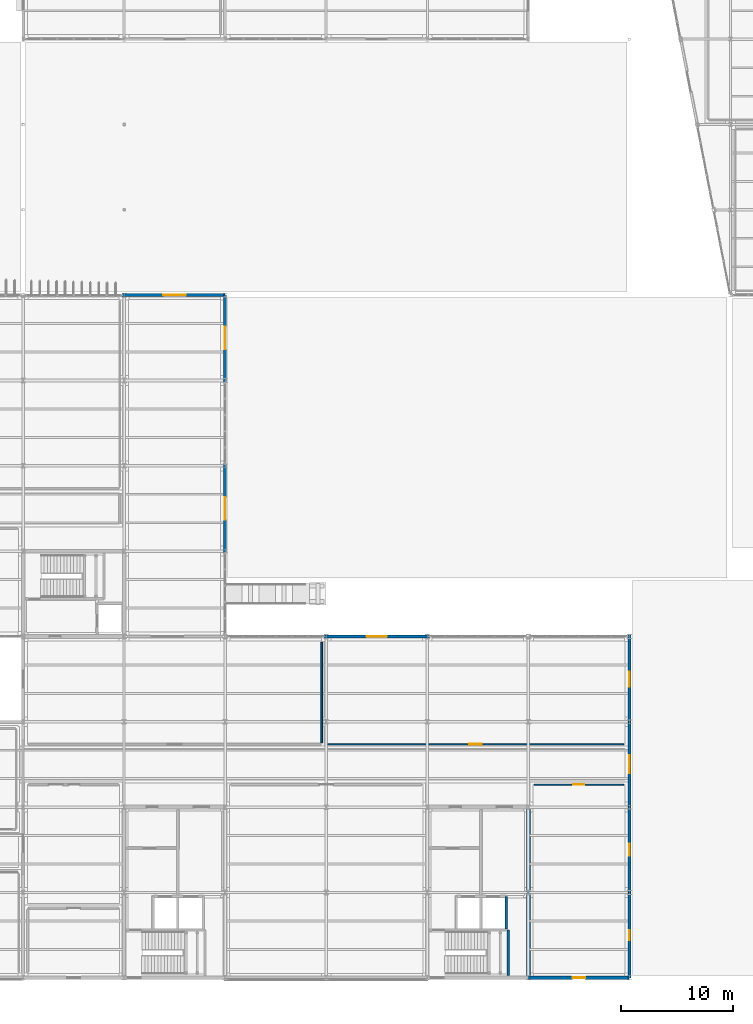
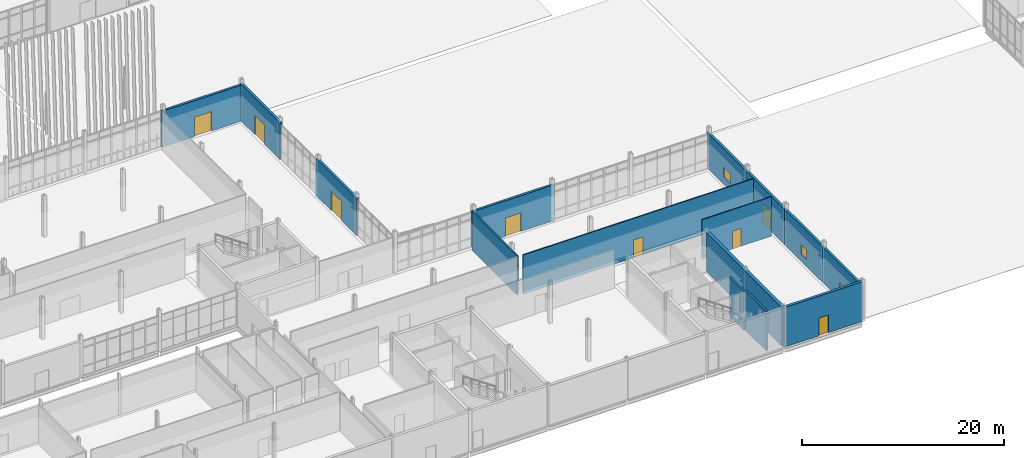
# One storey, part 142 of 161: 15 walls, 8 doors, 3 windows, 11 openings.
"""IFC4 building model written with IfcOpenShell, lengths in metres."""

import ifcopenshell
import ifcopenshell.guid

model = None  # the IFC model being written
_history = None  # IfcOwnerHistory: only IFC2X3 demands one
_inside = {}  # id of a spatial element -> (the spatial element, [elements in it])
_under = {}  # id of a project, library or spatial element -> (it, [spatial elements below it])
_declared = {}  # id of a project -> (the project, [libraries it declares])
_typed = {}  # id of a type object -> (the type object, [elements of that type])
_made_of = {}  # id of a material, layer set ... -> (it, [elements and type objects made of it])


def new_model(schema):
    """Start an empty IFC model of exactly this schema.

    Asked for "IFC4X3", IfcOpenShell would pick the latest addendum, in which some entities
    have other attributes; the version numbers below select the first issue.
    IFC2X3 requires an IfcOwnerHistory on every rooted entity: one is made here for all.
    """
    global model, _history
    if schema == "IFC4X3":
        model = ifcopenshell.file(schema_version=(4, 3, 0, 0))
    else:
        model = ifcopenshell.file(schema=schema)
    _inside.clear()
    _under.clear()
    _declared.clear()
    _typed.clear()
    _made_of.clear()
    _history = None
    if model.schema == "IFC2X3":
        org = make("IfcOrganization", Name="unknown")
        user = make(
            "IfcPersonAndOrganization",
            ThePerson=make("IfcPerson", FamilyName="unknown"),
            TheOrganization=org,
        )
        app = make(
            "IfcApplication",
            ApplicationDeveloper=org,
            Version="unknown",
            ApplicationFullName="unknown",
            ApplicationIdentifier="unknown",
        )
        _history = make(
            "IfcOwnerHistory",
            OwningUser=user,
            OwningApplication=app,
            ChangeAction="ADDED",
            CreationDate=0,
        )
    return model


def make(cls, **values):
    """One entity of the class cls with the attributes given. An attribute that is None is left unset."""
    return model.create_entity(
        cls, **{name: value for name, value in values.items() if value is not None}
    )


def rooted(cls, **values):
    """An entity with a GlobalId (a new one), such as an element, a storey or a relation."""
    return make(cls, GlobalId=ifcopenshell.guid.new(), OwnerHistory=_history, **values)


def si_unit(unit_type, name, prefix=None):
    """IfcSIUnit, for example si_unit("LENGTHUNIT", "METRE", prefix="MILLI")."""
    return make("IfcSIUnit", UnitType=unit_type, Prefix=prefix, Name=name)


def assignment(units):
    """IfcUnitAssignment: the units of a project."""
    return None if units is None else make("IfcUnitAssignment", Units=units)


def point(xyz):
    """IfcCartesianPoint."""
    return None if xyz is None else make("IfcCartesianPoint", Coordinates=xyz)


def direction(xyz):
    """IfcDirection."""
    return None if xyz is None else make("IfcDirection", DirectionRatios=xyz)


def frame(location, z_axis=None, x_axis=None):
    """IfcAxis2Placement3D, a coordinate frame: its origin and axes. An axis left out is left unset."""
    return make(
        "IfcAxis2Placement3D",
        Location=point(location),
        Axis=direction(z_axis),
        RefDirection=direction(x_axis),
    )


def frame_2d(location, x_axis=None):
    """IfcAxis2Placement2D, a coordinate frame in the plane: its origin and x axis."""
    return make(
        "IfcAxis2Placement2D", Location=point(location), RefDirection=direction(x_axis)
    )


def origin():
    """The frame at (0, 0, 0) with its axes left unset."""
    return frame((0.0, 0.0, 0.0))


def place(relative_to, where):
    """IfcLocalPlacement: puts the frame where relative to a parent placement (None: the world)."""
    return make(
        "IfcLocalPlacement", PlacementRelTo=relative_to, RelativePlacement=where
    )


def context(
    kind, dimensions, precision=None, world=None, true_north=None, identifier=None
):
    """IfcGeometricRepresentationContext, for example the 3D "Model" context."""
    return make(
        "IfcGeometricRepresentationContext",
        ContextIdentifier=identifier,
        ContextType=kind,
        CoordinateSpaceDimension=dimensions,
        Precision=precision,
        WorldCoordinateSystem=world,
        TrueNorth=true_north,
    )


def subcontext(parent, identifier, kind, view, scale=None):
    """IfcGeometricRepresentationSubContext, for example "Body" below "Model"."""
    return make(
        "IfcGeometricRepresentationSubContext",
        ContextIdentifier=identifier,
        ContextType=kind,
        ParentContext=parent,
        TargetScale=scale,
        TargetView=view,
    )


def project(units=None, contexts=None):
    """IfcProject with its units and contexts."""
    return rooted(
        "IfcProject",
        Name="project",
        RepresentationContexts=contexts,
        UnitsInContext=assignment(units),
    )


def spatial(cls, under=None, at=None, **own):
    """A site, building, storey or space (cls), placed at a placement, below another one or the project."""
    s = rooted(cls, ObjectPlacement=at, **own)
    if under is not None:
        _under.setdefault(under.id(), (under, []))[1].append(s)
    return s


def profile(cls, at=None, kind="AREA", **sizes):
    """A parametric profile (cls). Its sizes go by their IFC names, for example OverallWidth=200.0."""
    return make(cls, ProfileType=kind, Position=at, **sizes)


def rectangle(**sizes):
    """IfcRectangleProfileDef."""
    return profile("IfcRectangleProfileDef", **sizes)


def extrude(swept, where, along, depth):
    """IfcExtrudedAreaSolid: the profile swept, set in the frame where, extruded along a direction by depth."""
    return make(
        "IfcExtrudedAreaSolid",
        SweptArea=swept,
        Position=where,
        ExtrudedDirection=direction(along),
        Depth=depth,
    )


def shape(context_of_items, identifier, shape_type, items):
    """IfcShapeRepresentation: the items that make up one representation, for example the "Body"."""
    return make(
        "IfcShapeRepresentation",
        ContextOfItems=context_of_items,
        RepresentationIdentifier=identifier,
        RepresentationType=shape_type,
        Items=items,
    )


def material(Name=None, Category=None):
    """IfcMaterial."""
    return make("IfcMaterial", Name=Name, Category=Category)


def layer(
    of_material, thickness, ventilated=None, Name=None, Category=None, Priority=None
):
    """IfcMaterialLayer: one layer of a wall or slab, of a material (None: an air gap)."""
    return make(
        "IfcMaterialLayer",
        Material=of_material,
        LayerThickness=thickness,
        IsVentilated=ventilated,
        Name=Name,
        Category=Category,
        Priority=Priority,
    )


def layer_set(layers, Name=None):
    """IfcMaterialLayerSet."""
    return make("IfcMaterialLayerSet", MaterialLayers=layers, LayerSetName=Name)


def made_of(thing, what):
    """Note that an element or type object is made of a material, layer set ...; save() writes the relation."""
    if what is not None:
        _made_of.setdefault(what.id(), (what, []))[1].append(thing)
    return thing


def type_object(cls, material=None, **own):
    """A type object (cls), such as IfcWallType, which elements share."""
    return made_of(rooted(cls, **own), material)


def element(
    cls,
    number,
    at=None,
    inside=None,
    cuts=None,
    type_object=None,
    material=None,
    context=None,
    identifier="Body",
    shape_type=None,
    held_by="IfcProductDefinitionShape",
    body=None,
    shapes=None,
    **own,
):
    """One element of the class cls, such as IfcWall. Its Tag is "e" and its number.

    at: its placement. inside: the storey or other place that contains it. cuts: it is an
    opening in that element (IfcRelVoidsElement). A single representation is given by context,
    identifier, shape_type and body (its items); several are given by shapes. held_by: the class
    of the entity that holds the representations. save() writes the other relations.
    """
    e = rooted(cls, Tag="e%d" % number, ObjectPlacement=at, **own)
    if body is not None:
        shapes = [shape(context, identifier, shape_type, body)]
    if shapes is not None:
        e.Representation = make(held_by, Representations=shapes)
    if inside is not None:
        _inside.setdefault(inside.id(), (inside, []))[1].append(e)
    if cuts is not None:
        rooted(
            "IfcRelVoidsElement", RelatingBuildingElement=cuts, RelatedOpeningElement=e
        )
    if type_object is not None:
        _typed.setdefault(type_object.id(), (type_object, []))[1].append(e)
    return made_of(e, material)


def fill(opening, filler):
    """IfcRelFillsElement: the door or window that sits in an opening."""
    return rooted(
        "IfcRelFillsElement",
        RelatingOpeningElement=opening,
        RelatedBuildingElement=filler,
    )


def aggregate(whole, parts):
    """IfcRelAggregates: a whole, such as a stair, and the parts it consists of."""
    return rooted("IfcRelAggregates", RelatingObject=whole, RelatedObjects=parts)


def save(model, path):
    """Write the relations noted so far, then the file.

    IfcRelAggregates (storeys below a building ...), IfcRelContainedInSpatialStructure (elements
    in a storey), IfcRelDefinesByType, IfcRelAssociatesMaterial and IfcRelDeclares: one each for
    every whole, place, type object, material and project.
    """
    for whole, parts in _under.values():
        aggregate(whole, parts)
    for where, things in _inside.values():
        rooted(
            "IfcRelContainedInSpatialStructure",
            RelatedElements=things,
            RelatingStructure=where,
        )
    for kind, things in _typed.values():
        rooted("IfcRelDefinesByType", RelatedObjects=things, RelatingType=kind)
    for what, things in _made_of.values():
        rooted("IfcRelAssociatesMaterial", RelatedObjects=things, RelatingMaterial=what)
    for by, libraries in _declared.values():
        rooted("IfcRelDeclares", RelatingContext=by, RelatedDefinitions=libraries)
    model.write(path)


model = new_model("IFC4")

# Units and contexts
model_context = context("Model", 3, precision=1e-05, world=origin(), true_north=direction((0.0, 1.0)))
body_context = subcontext(model_context, "Body", "Model", "MODEL_VIEW")
ifc_project = project(units=[si_unit("LENGTHUNIT", "METRE"), si_unit("AREAUNIT", "SQUARE_METRE"), si_unit("VOLUMEUNIT", "CUBIC_METRE"), si_unit("PLANEANGLEUNIT", "RADIAN"), si_unit("MASSUNIT", "GRAM", prefix="KILO")], contexts=[model_context])

# Site, building, storey
site_placement = place(None, origin())
site = spatial("IfcSite", under=ifc_project, at=site_placement, CompositionType="ELEMENT")
building_placement = place(site_placement, origin())
building = spatial("IfcBuilding", under=site, at=building_placement, Name="Caisbarro Railhouse Central Library", CompositionType="ELEMENT")
storey_placement = place(building_placement, origin())
storey = spatial("IfcBuildingStorey", under=building, at=storey_placement, Name="L00", CompositionType="ELEMENT", Elevation=0.0)

# Wall
ifc_material_1 = material(Name="Concrete C40", Category="concrete")
ifc_layer_1 = layer(ifc_material_1, 0.35009765625, Name="Concrete C40")
ifc_layer_set_1 = layer_set([ifc_layer_1], Name="Concrete C40")
wall_type_1 = type_object("IfcWallType", Name="WAL-CW35", PredefinedType="SHEAR", material=ifc_layer_set_1)
wall_1_placement = place(storey_placement, frame((99.0, 0.159912109375, 0.0), z_axis=(0.0, 0.0, 1.0), x_axis=(0.0, 1.0, 0.0)))
element("IfcWall", 1, at=wall_1_placement, inside=storey, type_object=wall_type_1, Name="CW35 RC core shear wall L00 #25", PredefinedType="SHEAR", context=body_context, shape_type="SweptSolid", body=[
    extrude(rectangle(XDim=14.880126953125, YDim=0.35009765625, at=frame_2d((7.43994140625, 0.0))), origin(), (0.0, 0.0, 1.0), 4.760009765625),
])

# Wall, opening, door
ifc_material_2 = material(Name="Concrete C35 insulated architectural precast", Category="concrete")
ifc_layer_2 = layer(ifc_material_2, 0.260009765625, Name="Concrete C35 insulated architectural precast")
ifc_layer_set_2 = layer_set([ifc_layer_2], Name="Concrete C35 insulated architectural precast")
wall_type_2 = type_object("IfcWallType", Name="WAL-EW26", PredefinedType="STANDARD", material=ifc_layer_set_2)
wall_2_placement = place(storey_placement, frame((62.7900390625, 60.800048828125, 0.0), z_axis=(0.0, 0.0, 1.0), x_axis=(1.0, 0.0, 0.0)))
wall_2 = element("IfcWall", 2, at=wall_2_placement, inside=storey, type_object=wall_type_2, Name="EW26 exterior wall L00 #25", PredefinedType="STANDARD", context=body_context, shape_type="SweptSolid", body=[
    extrude(rectangle(XDim=9.2099609375, YDim=0.260009765625, at=frame_2d((4.60498046875, 0.0))), origin(), (0.0, 0.0, 1.0), 4.35107421875),
])
opening_1_placement = place(wall_2_placement, frame((3.7099609375, 0.0, 0.0)))
opening_1 = element("IfcOpeningElement", 3, at=opening_1_placement, cuts=wall_2, Name="Opening ED02", PredefinedType="OPENING", context=body_context, shape_type="SweptSolid", body=[
    extrude(rectangle(XDim=2.0, YDim=2.35009765625, at=frame_2d((1.0, 1.175048828125))), frame((0.0, 0.14013671875, 0.0), z_axis=(0.0, -1.0, 0.0), x_axis=(1.0, 0.0, 0.0)), (0.0, 0.0, 1.0), 0.280029296875),
])
ifc_material_3 = material(Name="Thermally broken anodised aluminium and safety glass", Category="aluminium")
door_type_1 = type_object("IfcDoorType", Name="DR-ED02", OperationType="NOTDEFINED", PredefinedType="DOOR", material=ifc_material_3)
door_1_placement = place(opening_1_placement, origin())
door_1 = element("IfcDoor", 4, at=door_1_placement, inside=storey, type_object=door_type_1, Name="Exit Door ED02 L00-03", OperationType="SINGLE_SWING_LEFT", OverallHeight=2.35009765625, OverallWidth=2.0, PredefinedType="DOOR", context=body_context, shape_type="SweptSolid", body=[
    extrude(rectangle(XDim=2.0, YDim=2.35009765625, at=frame_2d((1.0, 1.175048828125))), frame((0.0, 0.02490234375, 0.0), z_axis=(0.0, -1.0, 0.0), x_axis=(1.0, 0.0, 0.0)), (0.0, 0.0, 1.0), 0.050048828125),
])
fill(opening_1, door_1)

wall_3_placement = place(storey_placement, frame((72.0, 37.7900390625, 0.0), z_axis=(0.0, 0.0, 1.0), x_axis=(0.0, 1.0, 0.0)))
wall_3 = element("IfcWall", 5, at=wall_3_placement, inside=storey, type_object=wall_type_2, Name="EW26 exterior wall L00 #27", PredefinedType="STANDARD", context=body_context, shape_type="SweptSolid", body=[
    extrude(rectangle(XDim=8.02001953125, YDim=0.260009765625, at=frame_2d((4.010009765625, 0.0))), origin(), (0.0, 0.0, 1.0), 4.508056640625),
])
opening_2_placement = place(wall_3_placement, frame((3.010009765625, 0.0, 0.0)))
opening_2 = element("IfcOpeningElement", 6, at=opening_2_placement, cuts=wall_3, Name="Opening ED02", PredefinedType="OPENING", context=body_context, shape_type="SweptSolid", body=[
    extrude(rectangle(XDim=2.0, YDim=2.35009765625, at=frame_2d((1.0, 1.175048828125))), frame((0.0, 0.14013671875, 0.0), z_axis=(0.0, -1.0, 0.0), x_axis=(1.0, 0.0, 0.0)), (0.0, 0.0, 1.0), 0.280029296875),
])
door_2_placement = place(opening_2_placement, frame((2.0, 0.0, 0.0), z_axis=(0.0, 0.0, 1.0), x_axis=(-1.0, 0.0, 0.0)))
door_2 = element("IfcDoor", 7, at=door_2_placement, inside=storey, type_object=door_type_1, Name="Exit Door ED02 L00-05", OperationType="SINGLE_SWING_RIGHT", OverallHeight=2.35009765625, OverallWidth=2.0, PredefinedType="DOOR", context=body_context, shape_type="SweptSolid", body=[
    extrude(rectangle(XDim=2.0, YDim=2.35009765625, at=frame_2d((1.0, 1.175048828125))), frame((0.0, 0.02490234375, 0.0), z_axis=(0.0, -1.0, 0.0), x_axis=(1.0, 0.0, 0.0)), (0.0, 0.0, 1.0), 0.050048828125),
])
fill(opening_2, door_2)

wall_4_placement = place(storey_placement, frame((72.0, 52.989990234375, 0.0), z_axis=(0.0, 0.0, 1.0), x_axis=(0.0, 1.0, 0.0)))
wall_4 = element("IfcWall", 8, at=wall_4_placement, inside=storey, type_object=wall_type_2, Name="EW26 exterior wall L00 #28", PredefinedType="STANDARD", context=body_context, shape_type="SweptSolid", body=[
    extrude(rectangle(XDim=7.81005859375, YDim=0.260009765625, at=frame_2d((3.905029296875, 0.0))), origin(), (0.0, 0.0, 1.0), 4.508056640625),
])
opening_3_placement = place(wall_4_placement, frame((3.010009765625, 0.0, 0.0)))
opening_3 = element("IfcOpeningElement", 9, at=opening_3_placement, cuts=wall_4, Name="Opening ED02", PredefinedType="OPENING", context=body_context, shape_type="SweptSolid", body=[
    extrude(rectangle(XDim=2.0, YDim=2.35009765625, at=frame_2d((1.0, 1.175048828125))), frame((0.0, 0.14013671875, 0.0), z_axis=(0.0, -1.0, 0.0), x_axis=(1.0, 0.0, 0.0)), (0.0, 0.0, 1.0), 0.280029296875),
])
door_3_placement = place(opening_3_placement, frame((2.0, 0.0, 0.0), z_axis=(0.0, 0.0, 1.0), x_axis=(-1.0, 0.0, 0.0)))
door_3 = element("IfcDoor", 10, at=door_3_placement, inside=storey, type_object=door_type_1, Name="Exit Door ED02 L00-06", OperationType="SINGLE_SWING_LEFT", OverallHeight=2.35009765625, OverallWidth=2.0, PredefinedType="DOOR", context=body_context, shape_type="SweptSolid", body=[
    extrude(rectangle(XDim=2.0, YDim=2.35009765625, at=frame_2d((1.0, 1.175048828125))), frame((0.0, 0.02490234375, 0.0), z_axis=(0.0, -1.0, 0.0), x_axis=(1.0, 0.0, 0.0)), (0.0, 0.0, 1.0), 0.050048828125),
])
fill(opening_3, door_3)

wall_5_placement = place(storey_placement, frame((80.7900390625, 30.39990234375, 0.0), z_axis=(0.0, 0.0, 1.0), x_axis=(1.0, 0.0, 0.0)))
wall_5 = element("IfcWall", 11, at=wall_5_placement, inside=storey, type_object=wall_type_2, Name="EW26 exterior wall L00 #73", PredefinedType="STANDARD", context=body_context, shape_type="SweptSolid", body=[
    extrude(rectangle(XDim=9.419921875, YDim=0.260009765625, at=frame_2d((4.7099609375, 0.0))), origin(), (0.0, 0.0, 1.0), 4.3310546875),
])
opening_4_placement = place(wall_5_placement, frame((3.81005859375, 0.0, 0.0)))
opening_4 = element("IfcOpeningElement", 12, at=opening_4_placement, cuts=wall_5, Name="Opening ED01", PredefinedType="OPENING", context=body_context, shape_type="SweptSolid", body=[
    extrude(rectangle(XDim=1.800048828125, YDim=2.25, at=frame_2d((0.89990234375, 1.125))), frame((0.0, 0.14013671875, 0.0), z_axis=(0.0, -1.0, 0.0), x_axis=(1.0, 0.0, 0.0)), (0.0, 0.0, 1.0), 0.280029296875),
])
door_type_2 = type_object("IfcDoorType", Name="DR-ED01", OperationType="NOTDEFINED", PredefinedType="DOOR", material=ifc_material_3)
door_4_placement = place(opening_4_placement, origin())
door_4 = element("IfcDoor", 13, at=door_4_placement, inside=storey, type_object=door_type_2, Name="Exit Door ED01 L00-17", OperationType="SINGLE_SWING_LEFT", OverallHeight=2.25, OverallWidth=1.800048828125, PredefinedType="DOOR", context=body_context, shape_type="SweptSolid", body=[
    extrude(rectangle(XDim=1.800048828125, YDim=2.25, at=frame_2d((0.89990234375, 1.125))), frame((0.0, 0.02490234375, 0.0), z_axis=(0.0, -1.0, 0.0), x_axis=(1.0, 0.0, 0.0)), (0.0, 0.0, 1.0), 0.050048828125),
])
fill(opening_4, door_4)

# Wall, opening, window
wall_6_placement = place(storey_placement, frame((108.0, 0.0, 0.0), z_axis=(0.0, 0.0, 1.0), x_axis=(0.0, 1.0, 0.0)))
wall_6 = element("IfcWall", 14, at=wall_6_placement, inside=storey, type_object=wall_type_2, Name="EW26 exterior wall L00 #76", PredefinedType="STANDARD", context=body_context, shape_type="SweptSolid", body=[
    extrude(rectangle(XDim=7.60009765625, YDim=0.260009765625, at=frame_2d((3.800048828125, 0.0))), origin(), (0.0, 0.0, 1.0), 4.319091796875),
])
opening_5_placement = place(wall_6_placement, frame((3.35009765625, 0.0, 0.85009765625)))
opening_5 = element("IfcOpeningElement", 15, at=opening_5_placement, cuts=wall_6, Name="Opening W01", PredefinedType="OPENING", context=body_context, shape_type="SweptSolid", body=[
    extrude(rectangle(XDim=0.89990234375, YDim=1.199951171875, at=frame_2d((0.449951171875, 0.60009765625))), frame((0.0, 0.14013671875, 0.0), z_axis=(0.0, -1.0, 0.0), x_axis=(1.0, 0.0, 0.0)), (0.0, 0.0, 1.0), 0.280029296875),
])
ifc_material_4 = material(Name="Double low-e laminated solar-control glass", Category="glass")
window_type_1 = type_object("IfcWindowType", Name="WIN-W01", PartitioningType="SINGLE_PANEL", PredefinedType="WINDOW", material=ifc_material_4)
window_1_placement = place(opening_5_placement, origin())
window_1 = element("IfcWindow", 16, at=window_1_placement, inside=storey, type_object=window_type_1, Name="W01 window L00-005", OverallHeight=1.199951171875, OverallWidth=0.89990234375, PartitioningType="SINGLE_PANEL", PredefinedType="WINDOW", context=body_context, shape_type="SweptSolid", body=[
    extrude(rectangle(XDim=0.89990234375, YDim=1.199951171875, at=frame_2d((0.449951171875, 0.60009765625))), frame((0.0, 0.030029296875, 0.0), z_axis=(0.0, -1.0, 0.0), x_axis=(1.0, 0.0, 0.0)), (0.0, 0.0, 1.0), 0.06005859375),
])
fill(opening_5, window_1)

wall_7_placement = place(storey_placement, frame((108.0, 7.60009765625, 0.0), z_axis=(0.0, 0.0, 1.0), x_axis=(0.0, 1.0, 0.0)))
wall_7 = element("IfcWall", 17, at=wall_7_placement, inside=storey, type_object=wall_type_2, Name="EW26 exterior wall L00 #77", PredefinedType="STANDARD", context=body_context, shape_type="SweptSolid", body=[
    extrude(rectangle(XDim=7.599853515625, YDim=0.260009765625, at=frame_2d((3.7998046875, 0.0))), origin(), (0.0, 0.0, 1.0), 4.319091796875),
])
opening_6_placement = place(wall_7_placement, frame((3.27490234375, 0.0, 0.85009765625)))
opening_6 = element("IfcOpeningElement", 18, at=opening_6_placement, cuts=wall_7, Name="Opening W02", PredefinedType="OPENING", context=body_context, shape_type="SweptSolid", body=[
    extrude(rectangle(XDim=1.050048828125, YDim=1.199951171875, at=frame_2d((0.52490234375, 0.60009765625))), frame((0.0, 0.14013671875, 0.0), z_axis=(0.0, -1.0, 0.0), x_axis=(1.0, 0.0, 0.0)), (0.0, 0.0, 1.0), 0.280029296875),
])
window_type_2 = type_object("IfcWindowType", Name="WIN-W02", PartitioningType="SINGLE_PANEL", PredefinedType="WINDOW", material=ifc_material_4)
window_2_placement = place(opening_6_placement, origin())
window_2 = element("IfcWindow", 19, at=window_2_placement, inside=storey, type_object=window_type_2, Name="W02 window L00-006", OverallHeight=1.199951171875, OverallWidth=1.050048828125, PartitioningType="SINGLE_PANEL", PredefinedType="WINDOW", context=body_context, shape_type="SweptSolid", body=[
    extrude(rectangle(XDim=1.050048828125, YDim=1.199951171875, at=frame_2d((0.52490234375, 0.60009765625))), frame((0.0, 0.030029296875, 0.0), z_axis=(0.0, -1.0, 0.0), x_axis=(1.0, 0.0, 0.0)), (0.0, 0.0, 1.0), 0.06005859375),
])
fill(opening_6, window_2)

# Wall, opening, door
wall_8_placement = place(storey_placement, frame((108.0, 15.199951171875, 0.0), z_axis=(0.0, 0.0, 1.0), x_axis=(0.0, 1.0, 0.0)))
wall_8 = element("IfcWall", 20, at=wall_8_placement, inside=storey, type_object=wall_type_2, Name="EW26 exterior wall L00 #78", PredefinedType="STANDARD", context=body_context, shape_type="SweptSolid", body=[
    extrude(rectangle(XDim=7.60009765625, YDim=0.260009765625, at=frame_2d((3.800048828125, 0.0))), origin(), (0.0, 0.0, 1.0), 4.319091796875),
])
opening_7_placement = place(wall_8_placement, frame((3.0, 0.0, 0.0)))
opening_7 = element("IfcOpeningElement", 21, at=opening_7_placement, cuts=wall_8, Name="Opening ED03", PredefinedType="OPENING", context=body_context, shape_type="SweptSolid", body=[
    extrude(rectangle(XDim=1.60009765625, YDim=2.199951171875, at=frame_2d((0.800048828125, 1.10009765625))), frame((0.0, 0.14013671875, 0.0), z_axis=(0.0, -1.0, 0.0), x_axis=(1.0, 0.0, 0.0)), (0.0, 0.0, 1.0), 0.280029296875),
])
door_type_3 = type_object("IfcDoorType", Name="DR-ED03", OperationType="NOTDEFINED", PredefinedType="DOOR", material=ifc_material_3)
door_5_placement = place(opening_7_placement, frame((1.60009765625, 0.0, 0.0), z_axis=(0.0, 0.0, 1.0), x_axis=(-1.0, 0.0, 0.0)))
door_5 = element("IfcDoor", 22, at=door_5_placement, inside=storey, type_object=door_type_3, Name="Exit Door ED03 L00-20", OperationType="SINGLE_SWING_RIGHT", OverallHeight=2.199951171875, OverallWidth=1.60009765625, PredefinedType="DOOR", context=body_context, shape_type="SweptSolid", body=[
    extrude(rectangle(XDim=1.60009765625, YDim=2.199951171875, at=frame_2d((0.800048828125, 1.10009765625))), frame((0.0, 0.02490234375, 0.0), z_axis=(0.0, -1.0, 0.0), x_axis=(1.0, 0.0, 0.0)), (0.0, 0.0, 1.0), 0.050048828125),
])
fill(opening_7, door_5)

# Wall, opening, window
wall_9_placement = place(storey_placement, frame((108.0, 22.800048828125, 0.0), z_axis=(0.0, 0.0, 1.0), x_axis=(0.0, 1.0, 0.0)))
wall_9 = element("IfcWall", 23, at=wall_9_placement, inside=storey, type_object=wall_type_2, Name="EW26 exterior wall L00 #79", PredefinedType="STANDARD", context=body_context, shape_type="SweptSolid", body=[
    extrude(rectangle(XDim=7.81005859375, YDim=0.260009765625, at=frame_2d((3.905029296875, 0.0))), origin(), (0.0, 0.0, 1.0), 4.319091796875),
])
opening_8_placement = place(wall_9_placement, frame((3.125, 0.0, 0.85009765625)))
opening_8 = element("IfcOpeningElement", 24, at=opening_8_placement, cuts=wall_9, Name="Opening W04", PredefinedType="OPENING", context=body_context, shape_type="SweptSolid", body=[
    extrude(rectangle(XDim=1.35009765625, YDim=1.199951171875, at=frame_2d((0.675048828125, 0.60009765625))), frame((0.0, 0.14013671875, 0.0), z_axis=(0.0, -1.0, 0.0), x_axis=(1.0, 0.0, 0.0)), (0.0, 0.0, 1.0), 0.280029296875),
])
window_type_3 = type_object("IfcWindowType", Name="WIN-W04", PartitioningType="SINGLE_PANEL", PredefinedType="WINDOW", material=ifc_material_4)
window_3_placement = place(opening_8_placement, origin())
window_3 = element("IfcWindow", 25, at=window_3_placement, inside=storey, type_object=window_type_3, Name="W04 window L00-007", OverallHeight=1.199951171875, OverallWidth=1.35009765625, PartitioningType="SINGLE_PANEL", PredefinedType="WINDOW", context=body_context, shape_type="SweptSolid", body=[
    extrude(rectangle(XDim=1.35009765625, YDim=1.199951171875, at=frame_2d((0.675048828125, 0.60009765625))), frame((0.0, 0.030029296875, 0.0), z_axis=(0.0, -1.0, 0.0), x_axis=(1.0, 0.0, 0.0)), (0.0, 0.0, 1.0), 0.06005859375),
])
fill(opening_8, window_3)

# Wall, opening, door
ifc_layer_3 = layer(ifc_material_1, 0.300048828125, Name="Concrete C40")
ifc_layer_set_3 = layer_set([ifc_layer_3], Name="Concrete C40")
wall_type_3 = type_object("IfcWallType", Name="WAL-EW30", PredefinedType="SOLIDWALL", material=ifc_layer_set_3)
wall_10_placement = place(storey_placement, frame((99.0, 0.0, 0.0), z_axis=(0.0, 0.0, 1.0), x_axis=(1.0, 0.0, 0.0)))
wall_10 = element("IfcWall", 26, at=wall_10_placement, inside=storey, type_object=wall_type_3, Name="EW30 exterior wall L00 #75", PredefinedType="SOLIDWALL", context=body_context, shape_type="SweptSolid", body=[
    extrude(rectangle(XDim=9.0, YDim=0.300048828125, at=frame_2d((4.5, 0.0))), origin(), (0.0, 0.0, 1.0), 4.800048828125),
])
opening_9_placement = place(wall_10_placement, frame((3.949951171875, 0.0, 0.0)))
opening_9 = element("IfcOpeningElement", 27, at=opening_9_placement, cuts=wall_10, Name="Opening ED04", PredefinedType="OPENING", context=body_context, shape_type="SweptSolid", body=[
    extrude(rectangle(XDim=1.10009765625, YDim=2.14990234375, at=frame_2d((0.550048828125, 1.074951171875))), frame((0.0, 0.16015625, 0.0), z_axis=(0.0, -1.0, 0.0), x_axis=(1.0, 0.0, 0.0)), (0.0, 0.0, 1.0), 0.320068359375),
])
ifc_material_5 = material(Name="Galvanised painted hollow steel", Category="steel")
door_type_4 = type_object("IfcDoorType", Name="DR-ED04", OperationType="NOTDEFINED", PredefinedType="DOOR", material=ifc_material_5)
door_6_placement = place(opening_9_placement, frame((1.10009765625, 0.0, 0.0), z_axis=(0.0, 0.0, 1.0), x_axis=(-1.0, 0.0, 0.0)))
door_6 = element("IfcDoor", 28, at=door_6_placement, inside=storey, type_object=door_type_4, Name="Exit Door ED04 L00-19", OperationType="SINGLE_SWING_RIGHT", OverallHeight=2.14990234375, OverallWidth=1.10009765625, PredefinedType="DOOR", context=body_context, shape_type="SweptSolid", body=[
    extrude(rectangle(XDim=1.10009765625, YDim=2.14990234375, at=frame_2d((0.550048828125, 1.074951171875))), frame((0.0, 0.02490234375, 0.0), z_axis=(0.0, -1.0, 0.0), x_axis=(1.0, 0.0, 0.0)), (0.0, 0.0, 1.0), 0.050048828125),
])
fill(opening_9, door_6)

ifc_material_6 = material(Name="Acoustic gypsum board on galvanised steel studs", Category="steel")
ifc_layer_4 = layer(ifc_material_6, 0.110107421875, Name="Acoustic gypsum board on galvanised steel studs")
ifc_layer_set_4 = layer_set([ifc_layer_4], Name="Acoustic gypsum board on galvanised steel studs")
wall_type_4 = type_object("IfcWallType", Name="WAL-IW11", PredefinedType="PARTITIONING", material=ifc_layer_set_4)
wall_11_placement = place(storey_placement, frame((99.52001953125, 17.199951171875, 0.0), z_axis=(0.0, 0.0, 1.0), x_axis=(1.0, 0.0, 0.0)))
wall_11 = element("IfcWall", 29, at=wall_11_placement, inside=storey, type_object=wall_type_4, Name="IW11 partition wall L00 #288", PredefinedType="PARTITIONING", context=body_context, shape_type="SweptSolid", body=[
    extrude(rectangle(XDim=7.9599609375, YDim=0.110107421875, at=frame_2d((3.97998046875, 0.0))), origin(), (0.0, 0.0, 1.0), 4.760009765625),
])
opening_10_placement = place(wall_11_placement, frame((3.485107421875, 0.0, 0.0)))
opening_10 = element("IfcOpeningElement", 30, at=opening_10_placement, cuts=wall_11, Name="Opening ID27", PredefinedType="OPENING", context=body_context, shape_type="SweptSolid", body=[
    extrude(rectangle(XDim=0.989990234375, YDim=2.14990234375, at=frame_2d((0.4951171875, 1.074951171875))), frame((0.0, 0.06494140625, 0.0), z_axis=(0.0, -1.0, 0.0), x_axis=(1.0, 0.0, 0.0)), (0.0, 0.0, 1.0), 0.130126953125),
])
ifc_material_7 = material(Name="Solid-core tropical hardwood veneer", Category="wood")
door_type_5 = type_object("IfcDoorType", Name="DR-ID27", OperationType="NOTDEFINED", PredefinedType="DOOR", material=ifc_material_7)
door_7_placement = place(opening_10_placement, origin())
door_7 = element("IfcDoor", 31, at=door_7_placement, inside=storey, type_object=door_type_5, Name="Ground Exit Passage East Door ID27 L00-189", OperationType="SINGLE_SWING_LEFT", OverallHeight=2.14990234375, OverallWidth=0.989990234375, PredefinedType="DOOR", context=body_context, shape_type="SweptSolid", body=[
    extrude(rectangle(XDim=0.989990234375, YDim=2.14990234375, at=frame_2d((0.4951171875, 1.074951171875))), frame((0.0, 0.02490234375, 0.0), z_axis=(0.0, -1.0, 0.0), x_axis=(1.0, 0.0, 0.0)), (0.0, 0.0, 1.0), 0.050048828125),
])
fill(opening_10, door_7)

ifc_layer_5 = layer(ifc_material_6, 0.1298828125, Name="Acoustic gypsum board on galvanised steel studs")
ifc_layer_set_5 = layer_set([ifc_layer_5], Name="Acoustic gypsum board on galvanised steel studs")
wall_type_5 = type_object("IfcWallType", Name="WAL-IW13", PredefinedType="PARTITIONING", material=ifc_layer_set_5)
wall_12_placement = place(storey_placement, frame((81.1201171875, 20.800048828125, 0.0), z_axis=(0.0, 0.0, 1.0), x_axis=(1.0, 0.0, 0.0)))
wall_12 = element("IfcWall", 32, at=wall_12_placement, inside=storey, type_object=wall_type_5, Name="IW13 partition wall L00 #291", PredefinedType="PARTITIONING", context=body_context, shape_type="SweptSolid", body=[
    extrude(rectangle(XDim=26.35986328125, YDim=0.1298828125, at=frame_2d((13.179931640625, 0.0))), origin(), (0.0, 0.0, 1.0), 4.760009765625),
])
opening_11_placement = place(wall_12_placement, frame((12.614990234375, 0.0, 0.0)))
opening_11 = element("IfcOpeningElement", 33, at=opening_11_placement, cuts=wall_12, Name="Opening ID29", PredefinedType="OPENING", context=body_context, shape_type="SweptSolid", body=[
    extrude(rectangle(XDim=1.1298828125, YDim=2.14990234375, at=frame_2d((0.56494140625, 1.074951171875))), frame((0.0, 0.074951171875, 0.0), z_axis=(0.0, -1.0, 0.0), x_axis=(1.0, 0.0, 0.0)), (0.0, 0.0, 1.0), 0.14990234375),
])
door_type_6 = type_object("IfcDoorType", Name="DR-ID29", OperationType="NOTDEFINED", PredefinedType="DOOR", material=ifc_material_7)
door_8_placement = place(opening_11_placement, origin())
door_8 = element("IfcDoor", 34, at=door_8_placement, inside=storey, type_object=door_type_6, Name="Bindery and Preservation Workshop Door ID29 L00-191", OperationType="SINGLE_SWING_LEFT", OverallHeight=2.14990234375, OverallWidth=1.1298828125, PredefinedType="DOOR", context=body_context, shape_type="SweptSolid", body=[
    extrude(rectangle(XDim=1.1298828125, YDim=2.14990234375, at=frame_2d((0.56494140625, 1.074951171875))), frame((0.0, 0.02490234375, 0.0), z_axis=(0.0, -1.0, 0.0), x_axis=(1.0, 0.0, 0.0)), (0.0, 0.0, 1.0), 0.050048828125),
])
fill(opening_11, door_8)

# Walls
ifc_material_8 = material(Name="Plastered cellular concrete masonry", Category="masonry")
ifc_layer_6 = layer(ifc_material_8, 0.169921875, Name="Plastered cellular concrete masonry")
ifc_layer_set_6 = layer_set([ifc_layer_6], Name="Plastered cellular concrete masonry")
wall_type_6 = type_object("IfcWallType", Name="WAL-IW17", PredefinedType="PARTITIONING", material=ifc_layer_set_6)
wall_13_placement = place(storey_placement, frame((80.60009765625, 20.919921875, 0.0), z_axis=(0.0, 0.0, 1.0), x_axis=(0.0, 1.0, 0.0)))
element("IfcWall", 35, at=wall_13_placement, inside=storey, type_object=wall_type_6, Name="IW17 partition wall L00 #290", PredefinedType="PARTITIONING", context=body_context, shape_type="SweptSolid", body=[
    extrude(rectangle(XDim=8.9599609375, YDim=0.169921875, at=frame_2d((4.47998046875, 0.0))), origin(), (0.0, 0.0, 1.0), 4.760009765625),
])
ifc_layer_7 = layer(ifc_material_1, 0.2099609375, Name="Concrete C40")
ifc_layer_set_7 = layer_set([ifc_layer_7], Name="Concrete C40")
wall_type_7 = type_object("IfcWallType", Name="WAL-SW21", PredefinedType="SOLIDWALL", material=ifc_layer_set_7)
wall_14_placement = place(storey_placement, frame((97.199951171875, 0.199951171875, 0.0), z_axis=(0.0, 0.0, 1.0), x_axis=(0.0, 1.0, 0.0)))
element("IfcWall", 36, at=wall_14_placement, inside=storey, type_object=wall_type_7, Name="SW21 core shaft wall L00 #58", PredefinedType="SOLIDWALL", context=body_context, shape_type="SweptSolid", body=[
    extrude(rectangle(XDim=4.050048828125, YDim=0.2099609375, at=frame_2d((2.02490234375, 0.0))), origin(), (0.0, 0.0, 1.0), 4.760009765625),
])
wall_15_placement = place(storey_placement, frame((97.050048828125, 4.35009765625, 0.0), z_axis=(0.0, 0.0, 1.0), x_axis=(0.0, 1.0, 0.0)))
element("IfcWall", 37, at=wall_15_placement, inside=storey, type_object=wall_type_7, Name="SW21 core shaft wall L00 #61", PredefinedType="SOLIDWALL", context=body_context, shape_type="SweptSolid", body=[
    extrude(rectangle(XDim=2.89990234375, YDim=0.2099609375, at=frame_2d((1.449951171875, 0.0))), origin(), (0.0, 0.0, 1.0), 4.760009765625),
])

save(model, "model.ifc")
